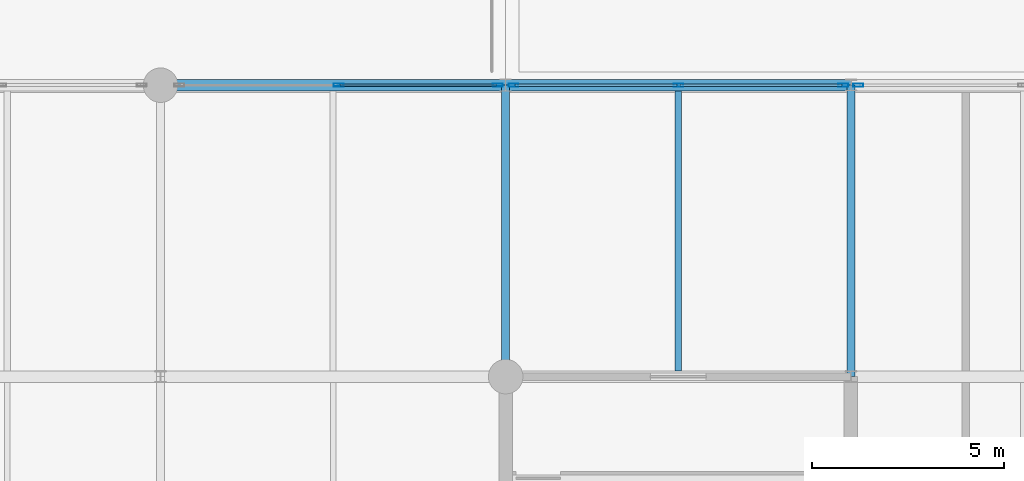
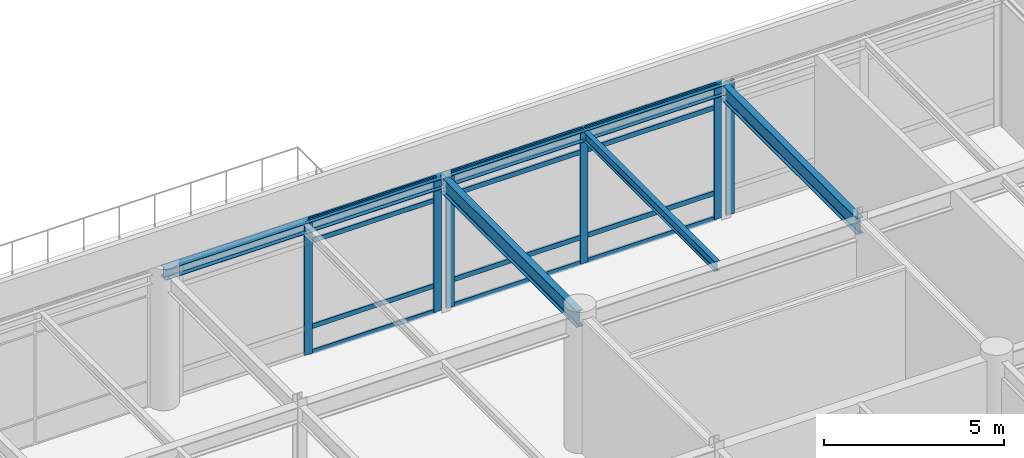
# One storey, part 28 of 43: 18 members, 5 beams, 3 elements without a shape of their own.
"""IFC4 building model written with IfcOpenShell, lengths in metres."""

from ifc_helpers import new_model, si_unit, direction, frame, origin, origin_2d, place, context, subcontext, project, spatial, hollow_rectangle, i_section, extrude, material, layer, layer_set, material_profile, profile_set, type_object, element, aggregate, save


model = new_model("IFC4")

# Units and contexts
model_context = context("Model", 3, precision=1e-05, world=origin(), true_north=direction((0.0, 1.0)))
body_context = subcontext(model_context, "Body", "Model", "MODEL_VIEW")
ifc_project = project(units=[si_unit("LENGTHUNIT", "METRE"), si_unit("AREAUNIT", "SQUARE_METRE"), si_unit("VOLUMEUNIT", "CUBIC_METRE"), si_unit("PLANEANGLEUNIT", "RADIAN"), si_unit("MASSUNIT", "GRAM", prefix="KILO")], contexts=[model_context])

# Site, building, storey
site_placement = place(None, origin())
site = spatial("IfcSite", under=ifc_project, at=site_placement, CompositionType="ELEMENT")
building_placement = place(site_placement, origin())
building = spatial("IfcBuilding", under=site, at=building_placement, Name="Shalkamar Park Central Library", CompositionType="ELEMENT")
storey_placement = place(building_placement, frame((0.0, 0.0, 15.60009765625)))
storey = spatial("IfcBuildingStorey", under=building, at=storey_placement, Name="L04", CompositionType="ELEMENT", Elevation=15.60009765625)

# Beam
ifc_material_1 = material(Name="Steel S355", Category="steel")
ifc_material_profile_1 = material_profile(ifc_material_1, i_section(OverallWidth=0.159912109375, OverallDepth=0.330078125, WebThickness=0.007568359375, FlangeThickness=0.011474609375, FilletRadius=0.01806640625, at=origin_2d()), Name="IPE 330")
ifc_profile_set_1 = profile_set([ifc_material_profile_1], Name="Steel S355")
beam_type_1 = type_object("IfcBeamType", Name="Composite Floor Joist IPE330", PredefinedType="JOIST", material=ifc_profile_set_1)
beam_placement = place(storey_placement, frame((250.5, 308.548095703125, 4.385009765625), z_axis=(0.0, 1.0, 0.0), x_axis=(-1.0, 0.0, 0.0)))
element("IfcBeam", 1, at=beam_placement, inside=storey, type_object=beam_type_1, Name="Composite Joist 17/K-1 (L04)", PredefinedType="JOIST", context=body_context, shape_type="SweptSolid", body=[
    extrude(i_section(OverallWidth=0.159912109375, OverallDepth=0.330078125, WebThickness=0.007568359375, FlangeThickness=0.011474609375, FilletRadius=0.01806640625, at=origin_2d()), origin(), (0.0, 0.0, 1.0), 7.303955078125),
])

# Curtain wall, members
ifc_material_2 = material(Name="Thermally broken aluminium and triple low-e curtain wall", Category="aluminium")
ifc_layer_1 = layer(ifc_material_2, 0.260009765625)
ifc_layer_set_1 = layer_set([ifc_layer_1], Name="UnitisedCurtainWall_60")
curtain_wall_type_1 = type_object("IfcCurtainWallType", Name="Unitised Curtain Wall 60", PredefinedType="USERDEFINED", material=ifc_layer_set_1)
curtain_wall_1_placement = place(storey_placement, origin())
curtain_wall_1 = element("IfcCurtainWall", 2, at=curtain_wall_1_placement, inside=storey, type_object=curtain_wall_type_1, Name="Unitised Curtain Wall CW-L04-075", ObjectType="UNITISED CURTAIN WALL", PredefinedType="USERDEFINED")
ifc_material_3 = material(Name="Aluminium 6060-T66", Category="aluminium")
ifc_material_profile_2 = material_profile(ifc_material_3, hollow_rectangle(XDim=0.074951171875, YDim=0.260009765625, WallThickness=0.00439453125, InnerFilletRadius=0.00439453125, OuterFilletRadius=0.0068359375, at=origin_2d()), Name="ALU 75x260x4.5")
ifc_profile_set_2 = profile_set([ifc_material_profile_2], Name="Aluminium 6060-T66")
member_type_1 = type_object("IfcMemberType", Name="Curtain Wall Mullion ALU75x260", PredefinedType="MULLION", material=ifc_profile_set_2)
member_1_placement = place(storey_placement, frame((241.64501953125, 316.0, 0.0), z_axis=(0.0, 0.0, 1.0), x_axis=(0.0, 1.0, 0.0)))
member_1 = element("IfcMember", 3, at=member_1_placement, type_object=member_type_1, Name="CW-60 mullion 2", PredefinedType="MULLION", context=body_context, shape_type="SweptSolid", body=[
    extrude(hollow_rectangle(XDim=0.074951171875, YDim=0.260009765625, WallThickness=0.00439453125, InnerFilletRadius=0.00439453125, OuterFilletRadius=0.0068359375, at=origin_2d()), origin(), (0.0, 0.0, 1.0), 4.5498046875),
])
member_2_placement = place(storey_placement, frame((245.798583984375, 316.0, 0.0), z_axis=(0.0, 0.0, 1.0), x_axis=(0.0, 1.0, 0.0)))
member_2 = element("IfcMember", 4, at=member_2_placement, type_object=member_type_1, Name="CW-60 mullion 3", PredefinedType="MULLION", context=body_context, shape_type="SweptSolid", body=[
    extrude(hollow_rectangle(XDim=0.074951171875, YDim=0.260009765625, WallThickness=0.00439453125, InnerFilletRadius=0.00439453125, OuterFilletRadius=0.0068359375, at=origin_2d()), origin(), (0.0, 0.0, 1.0), 4.5498046875),
])

ifc_layer_2 = layer(ifc_material_2, 0.2548828125)
ifc_layer_set_2 = layer_set([ifc_layer_2], Name="UnitisedCurtainWall_61")
curtain_wall_type_2 = type_object("IfcCurtainWallType", Name="Unitised Curtain Wall 61", PredefinedType="USERDEFINED", material=ifc_layer_set_2)
curtain_wall_2_placement = place(storey_placement, origin())
curtain_wall_2 = element("IfcCurtainWall", 5, at=curtain_wall_2_placement, inside=storey, type_object=curtain_wall_type_2, Name="Unitised Curtain Wall CW-L04-076", ObjectType="UNITISED CURTAIN WALL", PredefinedType="USERDEFINED")
ifc_material_profile_3 = material_profile(ifc_material_3, hollow_rectangle(XDim=0.080078125, YDim=0.2548828125, WallThickness=0.00439453125, InnerFilletRadius=0.00439453125, OuterFilletRadius=0.0068359375, at=origin_2d()), Name="ALU 80x255x4.5")
ifc_profile_set_3 = profile_set([ifc_material_profile_3], Name="Aluminium 6060-T66")
member_type_2 = type_object("IfcMemberType", Name="Curtain Wall Mullion ALU80x255", PredefinedType="MULLION", material=ifc_profile_set_3)
member_3_placement = place(storey_placement, frame((246.2041015625, 316.0, 0.0), z_axis=(0.0, 0.0, 1.0), x_axis=(0.0, 1.0, 0.0)))
member_3 = element("IfcMember", 6, at=member_3_placement, type_object=member_type_2, Name="CW-61 mullion 1", PredefinedType="MULLION", context=body_context, shape_type="SweptSolid", body=[
    extrude(hollow_rectangle(XDim=0.080078125, YDim=0.2548828125, WallThickness=0.00439453125, InnerFilletRadius=0.00439453125, OuterFilletRadius=0.0068359375, at=origin_2d()), origin(), (0.0, 0.0, 1.0), 4.5498046875),
])
member_4_placement = place(storey_placement, frame((250.5048828125, 316.0, 0.0), z_axis=(0.0, 0.0, 1.0), x_axis=(0.0, 1.0, 0.0)))
member_4 = element("IfcMember", 7, at=member_4_placement, type_object=member_type_2, Name="CW-61 mullion 2", PredefinedType="MULLION", context=body_context, shape_type="SweptSolid", body=[
    extrude(hollow_rectangle(XDim=0.080078125, YDim=0.2548828125, WallThickness=0.00439453125, InnerFilletRadius=0.00439453125, OuterFilletRadius=0.0068359375, at=origin_2d()), origin(), (0.0, 0.0, 1.0), 4.5498046875),
])
member_5_placement = place(storey_placement, frame((254.805908203125, 316.0, 0.0), z_axis=(0.0, 0.0, 1.0), x_axis=(0.0, 1.0, 0.0)))
member_5 = element("IfcMember", 8, at=member_5_placement, type_object=member_type_2, Name="CW-61 mullion 3", PredefinedType="MULLION", context=body_context, shape_type="SweptSolid", body=[
    extrude(hollow_rectangle(XDim=0.080078125, YDim=0.2548828125, WallThickness=0.00439453125, InnerFilletRadius=0.00439453125, OuterFilletRadius=0.0068359375, at=origin_2d()), origin(), (0.0, 0.0, 1.0), 4.5498046875),
])

# Curtain wall, member
ifc_layer_3 = layer(ifc_material_2, 0.27001953125)
ifc_layer_set_3 = layer_set([ifc_layer_3], Name="UnitisedCurtainWall_62")
curtain_wall_type_3 = type_object("IfcCurtainWallType", Name="Unitised Curtain Wall 62", PredefinedType="USERDEFINED", material=ifc_layer_set_3)
curtain_wall_3_placement = place(storey_placement, origin())
curtain_wall_3 = element("IfcCurtainWall", 9, at=curtain_wall_3_placement, inside=storey, type_object=curtain_wall_type_3, Name="Unitised Curtain Wall CW-L04-077", ObjectType="UNITISED CURTAIN WALL", PredefinedType="USERDEFINED")
ifc_material_profile_4 = material_profile(ifc_material_3, hollow_rectangle(XDim=0.080078125, YDim=0.27001953125, WallThickness=0.0048828125, InnerFilletRadius=0.0048828125, OuterFilletRadius=0.007568359375, at=origin_2d()), Name="ALU 80x270x5")
ifc_profile_set_4 = profile_set([ifc_material_profile_4], Name="Aluminium 6060-T66")
member_type_3 = type_object("IfcMemberType", Name="Curtain Wall Mullion ALU80x270", PredefinedType="MULLION", material=ifc_profile_set_4)
member_6_placement = place(storey_placement, frame((255.194091796875, 316.0, 0.0), z_axis=(0.0, 0.0, 1.0), x_axis=(0.0, 1.0, 0.0)))
member_6 = element("IfcMember", 10, at=member_6_placement, type_object=member_type_3, Name="CW-62 mullion 1", PredefinedType="MULLION", context=body_context, shape_type="SweptSolid", body=[
    extrude(hollow_rectangle(XDim=0.080078125, YDim=0.27001953125, WallThickness=0.0048828125, InnerFilletRadius=0.0048828125, OuterFilletRadius=0.007568359375, at=origin_2d()), origin(), (0.0, 0.0, 1.0), 4.5498046875),
])
aggregate(curtain_wall_3, [member_6])

# Member
ifc_material_profile_5 = material_profile(ifc_material_3, hollow_rectangle(XDim=0.06005859375, YDim=0.1650390625, WallThickness=0.00390625, InnerFilletRadius=0.00390625, OuterFilletRadius=0.006103515625, at=origin_2d()), Name="ALU 60x165x4")
ifc_profile_set_5 = profile_set([ifc_material_profile_5], Name="Aluminium 6060-T66")
member_type_4 = type_object("IfcMemberType", Name="Curtain Wall Transom ALU60x165", PredefinedType="USERDEFINED", material=ifc_profile_set_5)
member_7_placement = place(storey_placement, frame((241.6826171875, 316.0, 0.02978515625), z_axis=(1.0, 0.0, 0.0), x_axis=(0.0, 1.0, 0.0)))
member_7 = element("IfcMember", 11, at=member_7_placement, type_object=member_type_4, Name="CW-60 transom 2.1", ObjectType="TRANSOM", PredefinedType="USERDEFINED", context=body_context, shape_type="SweptSolid", body=[
    extrude(hollow_rectangle(XDim=0.06005859375, YDim=0.1650390625, WallThickness=0.00390625, InnerFilletRadius=0.00390625, OuterFilletRadius=0.006103515625, at=origin_2d()), origin(), (0.0, 0.0, 1.0), 4.078369140625),
])

member_8_placement = place(storey_placement, frame((241.6826171875, 316.0, 0.89990234375), z_axis=(1.0, 0.0, 0.0), x_axis=(0.0, 1.0, 0.0)))
member_8 = element("IfcMember", 12, at=member_8_placement, type_object=member_type_4, Name="CW-60 transom 2.2", ObjectType="TRANSOM", PredefinedType="USERDEFINED", context=body_context, shape_type="SweptSolid", body=[
    extrude(hollow_rectangle(XDim=0.06005859375, YDim=0.1650390625, WallThickness=0.00390625, InnerFilletRadius=0.00390625, OuterFilletRadius=0.006103515625, at=origin_2d()), origin(), (0.0, 0.0, 1.0), 4.078369140625),
])

member_9_placement = place(storey_placement, frame((241.6826171875, 316.0, 3.7998046875), z_axis=(1.0, 0.0, 0.0), x_axis=(0.0, 1.0, 0.0)))
member_9 = element("IfcMember", 13, at=member_9_placement, type_object=member_type_4, Name="CW-60 transom 2.3", ObjectType="TRANSOM", PredefinedType="USERDEFINED", context=body_context, shape_type="SweptSolid", body=[
    extrude(hollow_rectangle(XDim=0.06005859375, YDim=0.1650390625, WallThickness=0.00390625, InnerFilletRadius=0.00390625, OuterFilletRadius=0.006103515625, at=origin_2d()), origin(), (0.0, 0.0, 1.0), 4.078369140625),
])

member_10_placement = place(storey_placement, frame((241.6826171875, 316.0, 4.52001953125), z_axis=(1.0, 0.0, 0.0), x_axis=(0.0, 1.0, 0.0)))
member_10 = element("IfcMember", 14, at=member_10_placement, type_object=member_type_4, Name="CW-60 transom 2.4", ObjectType="TRANSOM", PredefinedType="USERDEFINED", context=body_context, shape_type="SweptSolid", body=[
    extrude(hollow_rectangle(XDim=0.06005859375, YDim=0.1650390625, WallThickness=0.00390625, InnerFilletRadius=0.00390625, OuterFilletRadius=0.006103515625, at=origin_2d()), origin(), (0.0, 0.0, 1.0), 4.078369140625),
])

aggregate(curtain_wall_1, [member_1, member_2, member_7, member_8, member_9, member_10])

ifc_material_profile_6 = material_profile(ifc_material_3, hollow_rectangle(XDim=0.06494140625, YDim=0.169921875, WallThickness=0.00390625, InnerFilletRadius=0.00390625, OuterFilletRadius=0.006103515625, at=origin_2d()), Name="ALU 65x170x4")
ifc_profile_set_6 = profile_set([ifc_material_profile_6], Name="Aluminium 6060-T66")
member_type_5 = type_object("IfcMemberType", Name="Curtain Wall Transom ALU65x170", PredefinedType="USERDEFINED", material=ifc_profile_set_6)
member_11_placement = place(storey_placement, frame((246.243896484375, 316.0, 0.032470703125), z_axis=(1.0, 0.0, 0.0), x_axis=(0.0, 1.0, 0.0)))
member_11 = element("IfcMember", 15, at=member_11_placement, type_object=member_type_5, Name="CW-61 transom 1.1", ObjectType="TRANSOM", PredefinedType="USERDEFINED", context=body_context, shape_type="SweptSolid", body=[
    extrude(hollow_rectangle(XDim=0.06494140625, YDim=0.169921875, WallThickness=0.00390625, InnerFilletRadius=0.00390625, OuterFilletRadius=0.006103515625, at=origin_2d()), origin(), (0.0, 0.0, 1.0), 4.22119140625),
])

member_12_placement = place(storey_placement, frame((246.243896484375, 316.0, 0.89990234375), z_axis=(1.0, 0.0, 0.0), x_axis=(0.0, 1.0, 0.0)))
member_12 = element("IfcMember", 16, at=member_12_placement, type_object=member_type_5, Name="CW-61 transom 1.2", ObjectType="TRANSOM", PredefinedType="USERDEFINED", context=body_context, shape_type="SweptSolid", body=[
    extrude(hollow_rectangle(XDim=0.06494140625, YDim=0.169921875, WallThickness=0.00390625, InnerFilletRadius=0.00390625, OuterFilletRadius=0.006103515625, at=origin_2d()), origin(), (0.0, 0.0, 1.0), 4.22119140625),
])

member_13_placement = place(storey_placement, frame((246.243896484375, 316.0, 3.7998046875), z_axis=(1.0, 0.0, 0.0), x_axis=(0.0, 1.0, 0.0)))
member_13 = element("IfcMember", 17, at=member_13_placement, type_object=member_type_5, Name="CW-61 transom 1.3", ObjectType="TRANSOM", PredefinedType="USERDEFINED", context=body_context, shape_type="SweptSolid", body=[
    extrude(hollow_rectangle(XDim=0.06494140625, YDim=0.169921875, WallThickness=0.00390625, InnerFilletRadius=0.00390625, OuterFilletRadius=0.006103515625, at=origin_2d()), origin(), (0.0, 0.0, 1.0), 4.22119140625),
])

member_14_placement = place(storey_placement, frame((246.243896484375, 316.0, 4.517333984375), z_axis=(1.0, 0.0, 0.0), x_axis=(0.0, 1.0, 0.0)))
member_14 = element("IfcMember", 18, at=member_14_placement, type_object=member_type_5, Name="CW-61 transom 1.4", ObjectType="TRANSOM", PredefinedType="USERDEFINED", context=body_context, shape_type="SweptSolid", body=[
    extrude(hollow_rectangle(XDim=0.06494140625, YDim=0.169921875, WallThickness=0.00390625, InnerFilletRadius=0.00390625, OuterFilletRadius=0.006103515625, at=origin_2d()), origin(), (0.0, 0.0, 1.0), 4.22119140625),
])

member_15_placement = place(storey_placement, frame((250.544921875, 316.0, 0.032470703125), z_axis=(1.0, 0.0, 0.0), x_axis=(0.0, 1.0, 0.0)))
member_15 = element("IfcMember", 19, at=member_15_placement, type_object=member_type_5, Name="CW-61 transom 2.1", ObjectType="TRANSOM", PredefinedType="USERDEFINED", context=body_context, shape_type="SweptSolid", body=[
    extrude(hollow_rectangle(XDim=0.06494140625, YDim=0.169921875, WallThickness=0.00390625, InnerFilletRadius=0.00390625, OuterFilletRadius=0.006103515625, at=origin_2d()), origin(), (0.0, 0.0, 1.0), 4.22119140625),
])

member_16_placement = place(storey_placement, frame((250.544921875, 316.0, 0.89990234375), z_axis=(1.0, 0.0, 0.0), x_axis=(0.0, 1.0, 0.0)))
member_16 = element("IfcMember", 20, at=member_16_placement, type_object=member_type_5, Name="CW-61 transom 2.2", ObjectType="TRANSOM", PredefinedType="USERDEFINED", context=body_context, shape_type="SweptSolid", body=[
    extrude(hollow_rectangle(XDim=0.06494140625, YDim=0.169921875, WallThickness=0.00390625, InnerFilletRadius=0.00390625, OuterFilletRadius=0.006103515625, at=origin_2d()), origin(), (0.0, 0.0, 1.0), 4.22119140625),
])

member_17_placement = place(storey_placement, frame((250.544921875, 316.0, 3.7998046875), z_axis=(1.0, 0.0, 0.0), x_axis=(0.0, 1.0, 0.0)))
member_17 = element("IfcMember", 21, at=member_17_placement, type_object=member_type_5, Name="CW-61 transom 2.3", ObjectType="TRANSOM", PredefinedType="USERDEFINED", context=body_context, shape_type="SweptSolid", body=[
    extrude(hollow_rectangle(XDim=0.06494140625, YDim=0.169921875, WallThickness=0.00390625, InnerFilletRadius=0.00390625, OuterFilletRadius=0.006103515625, at=origin_2d()), origin(), (0.0, 0.0, 1.0), 4.22119140625),
])

member_18_placement = place(storey_placement, frame((250.544921875, 316.0, 4.517333984375), z_axis=(1.0, 0.0, 0.0), x_axis=(0.0, 1.0, 0.0)))
member_18 = element("IfcMember", 22, at=member_18_placement, type_object=member_type_5, Name="CW-61 transom 2.4", ObjectType="TRANSOM", PredefinedType="USERDEFINED", context=body_context, shape_type="SweptSolid", body=[
    extrude(hollow_rectangle(XDim=0.06494140625, YDim=0.169921875, WallThickness=0.00390625, InnerFilletRadius=0.00390625, OuterFilletRadius=0.006103515625, at=origin_2d()), origin(), (0.0, 0.0, 1.0), 4.22119140625),
])

aggregate(curtain_wall_2, [member_3, member_4, member_5, member_11, member_12, member_13, member_14, member_15, member_16, member_17, member_18])

# Beams
ifc_material_profile_7 = material_profile(ifc_material_1, i_section(OverallWidth=0.300048828125, OverallDepth=0.35009765625, WebThickness=0.010009765625, FlangeThickness=0.017578125, FilletRadius=0.027099609375, at=origin_2d()), Name="HEA 360")
ifc_profile_set_7 = profile_set([ifc_material_profile_7], Name="Steel S355")
beam_type_2 = type_object("IfcBeamType", Name="Perimeter Spandrel Beam HEA360", PredefinedType="SPANDREL", material=ifc_profile_set_7)
for number, where, z_axis, x_axis, name in (
    (23, (237.0, 316.0, 4.375), (1.0, 0.0, 0.0), (0.0, 1.0, 0.0), "Beam L:16-17 (L04)"),
    (24, (246.0, 316.0, 4.375), (1.0, 0.0, 0.0), (0.0, 1.0, 0.0), "Beam L:17-18 (L04)"),
):
    element("IfcBeam", number, at=place(storey_placement, frame(where, z_axis=z_axis, x_axis=x_axis)), inside=storey, type_object=beam_type_2, Name=name, PredefinedType="SPANDREL", context=body_context, shape_type="SweptSolid", body=[
        extrude(i_section(OverallWidth=0.300048828125, OverallDepth=0.35009765625, WebThickness=0.010009765625, FlangeThickness=0.017578125, FilletRadius=0.027099609375, at=origin_2d()), origin(), (0.0, 0.0, 1.0), 9.0),
    ])
ifc_material_profile_8 = material_profile(ifc_material_1, i_section(OverallWidth=0.2099609375, OverallDepth=0.550048828125, WebThickness=0.010986328125, FlangeThickness=0.01708984375, FilletRadius=0.02392578125, at=origin_2d()), Name="IPE 550")
ifc_profile_set_8 = profile_set([ifc_material_profile_8], Name="Steel S355")
beam_type_3 = type_object("IfcBeamType", Name="Primary Girder IPE550", PredefinedType="BEAM", material=ifc_profile_set_8)
for number, where, z_axis, x_axis, name in (
    (25, (246.0, 308.39990234375, 4.27490234375), (0.0, 1.0, 0.0), (-1.0, 0.0, 0.0), "Beam 17:K-L (L04)"),
    (26, (255.0, 308.39990234375, 4.27490234375), (0.0, 1.0, 0.0), (-1.0, 0.0, 0.0), "Beam 18:K-L (L04)"),
):
    element("IfcBeam", number, at=place(storey_placement, frame(where, z_axis=z_axis, x_axis=x_axis)), inside=storey, type_object=beam_type_3, Name=name, PredefinedType="BEAM", context=body_context, shape_type="SweptSolid", body=[
        extrude(i_section(OverallWidth=0.2099609375, OverallDepth=0.550048828125, WebThickness=0.010986328125, FlangeThickness=0.01708984375, FilletRadius=0.02392578125, at=origin_2d()), origin(), (0.0, 0.0, 1.0), 7.60009765625),
    ])

save(model, "model.ifc")
